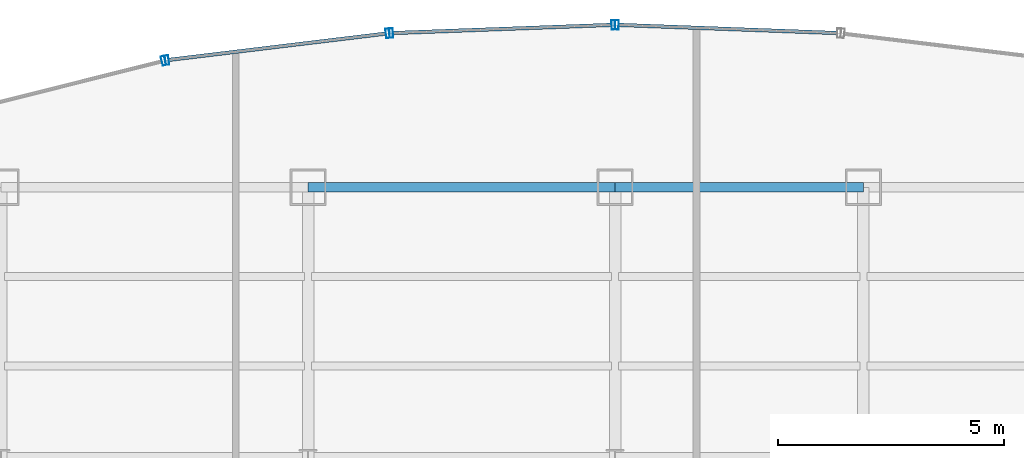
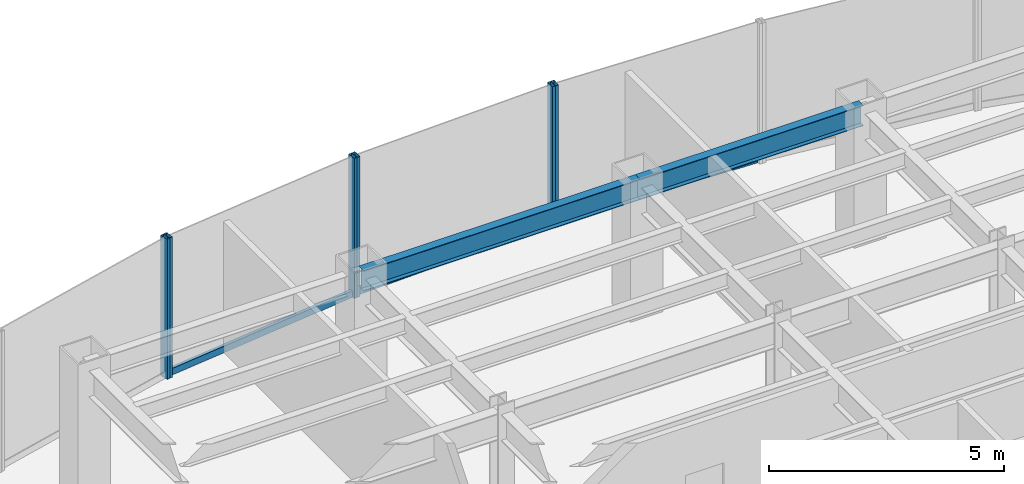
# One storey, part 16 of 26: 9 members, 2 beams, 4 elements without a shape of their own.
"""IFC4 building model written with IfcOpenShell, lengths in metres."""

import ifcopenshell
import ifcopenshell.guid

model = None  # the IFC model being written
_history = None  # IfcOwnerHistory: only IFC2X3 demands one
_inside = {}  # id of a spatial element -> (the spatial element, [elements in it])
_under = {}  # id of a project, library or spatial element -> (it, [spatial elements below it])
_declared = {}  # id of a project -> (the project, [libraries it declares])
_typed = {}  # id of a type object -> (the type object, [elements of that type])
_made_of = {}  # id of a material, layer set ... -> (it, [elements and type objects made of it])


def new_model(schema):
    """Start an empty IFC model of exactly this schema.

    Asked for "IFC4X3", IfcOpenShell would pick the latest addendum, in which some entities
    have other attributes; the version numbers below select the first issue.
    IFC2X3 requires an IfcOwnerHistory on every rooted entity: one is made here for all.
    """
    global model, _history
    if schema == "IFC4X3":
        model = ifcopenshell.file(schema_version=(4, 3, 0, 0))
    else:
        model = ifcopenshell.file(schema=schema)
    _inside.clear()
    _under.clear()
    _declared.clear()
    _typed.clear()
    _made_of.clear()
    _history = None
    if model.schema == "IFC2X3":
        org = make("IfcOrganization", Name="unknown")
        user = make(
            "IfcPersonAndOrganization",
            ThePerson=make("IfcPerson", FamilyName="unknown"),
            TheOrganization=org,
        )
        app = make(
            "IfcApplication",
            ApplicationDeveloper=org,
            Version="unknown",
            ApplicationFullName="unknown",
            ApplicationIdentifier="unknown",
        )
        _history = make(
            "IfcOwnerHistory",
            OwningUser=user,
            OwningApplication=app,
            ChangeAction="ADDED",
            CreationDate=0,
        )
    return model


def make(cls, **values):
    """One entity of the class cls with the attributes given. An attribute that is None is left unset."""
    return model.create_entity(
        cls, **{name: value for name, value in values.items() if value is not None}
    )


def rooted(cls, **values):
    """An entity with a GlobalId (a new one), such as an element, a storey or a relation."""
    return make(cls, GlobalId=ifcopenshell.guid.new(), OwnerHistory=_history, **values)


def si_unit(unit_type, name, prefix=None):
    """IfcSIUnit, for example si_unit("LENGTHUNIT", "METRE", prefix="MILLI")."""
    return make("IfcSIUnit", UnitType=unit_type, Prefix=prefix, Name=name)


def derived_unit(unit_type, elements):
    """IfcDerivedUnit: a product of units, each with its exponent."""
    return make(
        "IfcDerivedUnit",
        Elements=[
            make("IfcDerivedUnitElement", Unit=unit, Exponent=power)
            for unit, power in elements
        ],
        UnitType=unit_type,
    )


def assignment(units):
    """IfcUnitAssignment: the units of a project."""
    return None if units is None else make("IfcUnitAssignment", Units=units)


def point(xyz):
    """IfcCartesianPoint."""
    return None if xyz is None else make("IfcCartesianPoint", Coordinates=xyz)


def direction(xyz):
    """IfcDirection."""
    return None if xyz is None else make("IfcDirection", DirectionRatios=xyz)


def frame(location, z_axis=None, x_axis=None):
    """IfcAxis2Placement3D, a coordinate frame: its origin and axes. An axis left out is left unset."""
    return make(
        "IfcAxis2Placement3D",
        Location=point(location),
        Axis=direction(z_axis),
        RefDirection=direction(x_axis),
    )


def frame_2d(location, x_axis=None):
    """IfcAxis2Placement2D, a coordinate frame in the plane: its origin and x axis."""
    return make(
        "IfcAxis2Placement2D", Location=point(location), RefDirection=direction(x_axis)
    )


def origin():
    """The frame at (0, 0, 0) with its axes left unset."""
    return frame((0.0, 0.0, 0.0))


def origin_2d():
    """The frame at (0, 0) in the plane with its x axis left unset."""
    return frame_2d((0.0, 0.0))


def place(relative_to, where):
    """IfcLocalPlacement: puts the frame where relative to a parent placement (None: the world)."""
    return make(
        "IfcLocalPlacement", PlacementRelTo=relative_to, RelativePlacement=where
    )


def context(
    kind, dimensions, precision=None, world=None, true_north=None, identifier=None
):
    """IfcGeometricRepresentationContext, for example the 3D "Model" context."""
    return make(
        "IfcGeometricRepresentationContext",
        ContextIdentifier=identifier,
        ContextType=kind,
        CoordinateSpaceDimension=dimensions,
        Precision=precision,
        WorldCoordinateSystem=world,
        TrueNorth=true_north,
    )


def subcontext(parent, identifier, kind, view, scale=None):
    """IfcGeometricRepresentationSubContext, for example "Body" below "Model"."""
    return make(
        "IfcGeometricRepresentationSubContext",
        ContextIdentifier=identifier,
        ContextType=kind,
        ParentContext=parent,
        TargetScale=scale,
        TargetView=view,
    )


def project(units=None, contexts=None):
    """IfcProject with its units and contexts."""
    return rooted(
        "IfcProject",
        Name="project",
        RepresentationContexts=contexts,
        UnitsInContext=assignment(units),
    )


def spatial(cls, under=None, at=None, **own):
    """A site, building, storey or space (cls), placed at a placement, below another one or the project."""
    s = rooted(cls, ObjectPlacement=at, **own)
    if under is not None:
        _under.setdefault(under.id(), (under, []))[1].append(s)
    return s


def profile(cls, at=None, kind="AREA", **sizes):
    """A parametric profile (cls). Its sizes go by their IFC names, for example OverallWidth=200.0."""
    return make(cls, ProfileType=kind, Position=at, **sizes)


def hollow_rectangle(**sizes):
    """IfcRectangleHollowProfileDef."""
    return profile("IfcRectangleHollowProfileDef", **sizes)


def i_section(**sizes):
    """IfcIShapeProfileDef."""
    return profile("IfcIShapeProfileDef", **sizes)


def extrude(swept, where, along, depth):
    """IfcExtrudedAreaSolid: the profile swept, set in the frame where, extruded along a direction by depth."""
    return make(
        "IfcExtrudedAreaSolid",
        SweptArea=swept,
        Position=where,
        ExtrudedDirection=direction(along),
        Depth=depth,
    )


def shape(context_of_items, identifier, shape_type, items):
    """IfcShapeRepresentation: the items that make up one representation, for example the "Body"."""
    return make(
        "IfcShapeRepresentation",
        ContextOfItems=context_of_items,
        RepresentationIdentifier=identifier,
        RepresentationType=shape_type,
        Items=items,
    )


def source(mapping_origin, context_of_items, identifier, shape_type, items):
    """IfcRepresentationMap: a shape defined once, which mapped items show again and again."""
    return make(
        "IfcRepresentationMap",
        MappingOrigin=mapping_origin,
        MappedRepresentation=shape(context_of_items, identifier, shape_type, items),
    )


def transform(
    local_origin,
    x_axis=None,
    y_axis=None,
    z_axis=None,
    scale=None,
    scale2=None,
    scale3=None,
    uniform=True,
):
    """IfcCartesianTransformationOperator3D, or its non-uniform kind. x_axis, y_axis, z_axis: its Axis1, 2, 3."""
    if uniform:
        return make(
            "IfcCartesianTransformationOperator3D",
            Axis1=direction(x_axis),
            Axis2=direction(y_axis),
            LocalOrigin=point(local_origin),
            Scale=scale,
            Axis3=direction(z_axis),
        )
    return make(
        "IfcCartesianTransformationOperator3DnonUniform",
        Axis1=direction(x_axis),
        Axis2=direction(y_axis),
        LocalOrigin=point(local_origin),
        Scale=scale,
        Axis3=direction(z_axis),
        Scale2=scale2,
        Scale3=scale3,
    )


def mapped(mapping_source, mapping_target):
    """IfcMappedItem: shows the shape of a source again, moved by a transform."""
    return make(
        "IfcMappedItem", MappingSource=mapping_source, MappingTarget=mapping_target
    )


def material(Name=None, Category=None):
    """IfcMaterial."""
    return make("IfcMaterial", Name=Name, Category=Category)


def material_profile(
    of_material, cross_section, Name=None, Category=None, Priority=None
):
    """IfcMaterialProfile: a cross section and its material."""
    return make(
        "IfcMaterialProfile",
        Name=Name,
        Material=of_material,
        Profile=cross_section,
        Priority=Priority,
        Category=Category,
    )


def profile_set(profiles, Name=None, composite=None):
    """IfcMaterialProfileSet."""
    return make(
        "IfcMaterialProfileSet",
        Name=Name,
        MaterialProfiles=profiles,
        CompositeProfile=composite,
    )


def made_of(thing, what):
    """Note that an element or type object is made of a material, layer set ...; save() writes the relation."""
    if what is not None:
        _made_of.setdefault(what.id(), (what, []))[1].append(thing)
    return thing


def type_object(cls, material=None, **own):
    """A type object (cls), such as IfcWallType, which elements share."""
    return made_of(rooted(cls, **own), material)


def element(
    cls,
    number,
    at=None,
    inside=None,
    cuts=None,
    type_object=None,
    material=None,
    context=None,
    identifier="Body",
    shape_type=None,
    held_by="IfcProductDefinitionShape",
    body=None,
    shapes=None,
    **own,
):
    """One element of the class cls, such as IfcWall. Its Tag is "e" and its number.

    at: its placement. inside: the storey or other place that contains it. cuts: it is an
    opening in that element (IfcRelVoidsElement). A single representation is given by context,
    identifier, shape_type and body (its items); several are given by shapes. held_by: the class
    of the entity that holds the representations. save() writes the other relations.
    """
    e = rooted(cls, Tag="e%d" % number, ObjectPlacement=at, **own)
    if body is not None:
        shapes = [shape(context, identifier, shape_type, body)]
    if shapes is not None:
        e.Representation = make(held_by, Representations=shapes)
    if inside is not None:
        _inside.setdefault(inside.id(), (inside, []))[1].append(e)
    if cuts is not None:
        rooted(
            "IfcRelVoidsElement", RelatingBuildingElement=cuts, RelatedOpeningElement=e
        )
    if type_object is not None:
        _typed.setdefault(type_object.id(), (type_object, []))[1].append(e)
    return made_of(e, material)


def aggregate(whole, parts):
    """IfcRelAggregates: a whole, such as a stair, and the parts it consists of."""
    return rooted("IfcRelAggregates", RelatingObject=whole, RelatedObjects=parts)


def save(model, path):
    """Write the relations noted so far, then the file.

    IfcRelAggregates (storeys below a building ...), IfcRelContainedInSpatialStructure (elements
    in a storey), IfcRelDefinesByType, IfcRelAssociatesMaterial and IfcRelDeclares: one each for
    every whole, place, type object, material and project.
    """
    for whole, parts in _under.values():
        aggregate(whole, parts)
    for where, things in _inside.values():
        rooted(
            "IfcRelContainedInSpatialStructure",
            RelatedElements=things,
            RelatingStructure=where,
        )
    for kind, things in _typed.values():
        rooted("IfcRelDefinesByType", RelatedObjects=things, RelatingType=kind)
    for what, things in _made_of.values():
        rooted("IfcRelAssociatesMaterial", RelatedObjects=things, RelatingMaterial=what)
    for by, libraries in _declared.values():
        rooted("IfcRelDeclares", RelatingContext=by, RelatedDefinitions=libraries)
    model.write(path)


model = new_model("IFC4")

# Units and contexts
model_context = context("Model", 3, precision=1e-05, world=origin(), true_north=direction((0.0, 1.0)))
body_context = subcontext(model_context, "Body", "Model", "MODEL_VIEW")
ifc_project = project(units=[si_unit("LENGTHUNIT", "METRE"), si_unit("AREAUNIT", "SQUARE_METRE"), si_unit("VOLUMEUNIT", "CUBIC_METRE"), si_unit("PLANEANGLEUNIT", "RADIAN"), si_unit("MASSUNIT", "GRAM", prefix="KILO"), derived_unit("THERMALTRANSMITTANCEUNIT", [(si_unit("POWERUNIT", "WATT"), 1), (si_unit("LENGTHUNIT", "METRE"), -2), (si_unit("THERMODYNAMICTEMPERATUREUNIT", "KELVIN"), -1)])], contexts=[model_context])

# Site, building, storey
site_placement = place(None, origin())
site = spatial("IfcSite", under=ifc_project, at=site_placement, CompositionType="ELEMENT")
building_placement = place(site_placement, origin())
building = spatial("IfcBuilding", under=site, at=building_placement, Name="Skarnbrae Concourse Arena and Tower", CompositionType="ELEMENT")
storey_placement = place(building_placement, frame((0.0, 0.0, 103.25)))
storey = spatial("IfcBuildingStorey", under=building, at=storey_placement, Name="L25", CompositionType="ELEMENT", Elevation=103.25)

# Beams
ifc_material_1 = material(Name="Steel CSA G40.21 350W", Category="steel")
ifc_material_profile_1 = material_profile(ifc_material_1, i_section(OverallWidth=0.208984375, OverallDepth=0.532958984375, WebThickness=0.01025390625, FlangeThickness=0.015625, at=origin_2d()), Name="W530X92")
ifc_profile_set_1 = profile_set([ifc_material_profile_1], Name="Steel CSA G40.21 350W")
beam_type = type_object("IfcBeamType", Name="BM-SPAN-W530X92", PredefinedType="SPANDREL", material=ifc_profile_set_1)
shared_shape_1 = source(origin(), body_context, "Body", "SweptSolid", [
    extrude(i_section(OverallWidth=0.208984375, OverallDepth=0.532958984375, WebThickness=0.01025390625, FlangeThickness=0.015625, at=origin_2d()), origin(), (0.0, 0.0, 1.0), 6.800048828125),
])
beam_1_placement = place(storey_placement, frame((21.199951171875, 40.39990234375, 3.133544921875), z_axis=(1.0, 0.0, 0.0), x_axis=(0.0, 1.0, 0.0)))
element("IfcBeam", 1, at=beam_1_placement, inside=storey, type_object=beam_type, Name="L25 Perimeter spandrel Y40.4-2", PredefinedType="SPANDREL", context=body_context, shape_type="MappedRepresentation", body=[
    mapped(shared_shape_1, transform((0.0, 0.0, 0.0))),
])
shared_shape_2 = source(origin(), body_context, "Body", "SweptSolid", [
    extrude(i_section(OverallWidth=0.208984375, OverallDepth=0.532958984375, WebThickness=0.01025390625, FlangeThickness=0.015625, at=origin_2d()), origin(), (0.0, 0.0, 1.0), 5.5),
])
beam_2_placement = place(storey_placement, frame((28.0, 40.39990234375, 3.133544921875), z_axis=(1.0, 0.0, 0.0), x_axis=(0.0, 1.0, 0.0)))
element("IfcBeam", 2, at=beam_2_placement, inside=storey, type_object=beam_type, Name="L25 Perimeter spandrel Y40.4-3", PredefinedType="SPANDREL", context=body_context, shape_type="MappedRepresentation", body=[
    mapped(shared_shape_2, transform((0.0, 0.0, 0.0))),
])

# Curtain wall, member
ifc_material_2 = material(Name="Bronze anodised aluminium 6063-T6", Category="aluminium")
curtain_wall_type = type_object("IfcCurtainWallType", Name="CW-SYS-03-PORTAL", PredefinedType="USERDEFINED", material=ifc_material_2)
curtain_wall_1_placement = place(storey_placement, origin())
curtain_wall_1 = element("IfcCurtainWall", 3, at=curtain_wall_1_placement, inside=storey, type_object=curtain_wall_type, Name="L25 Unitised curtain wall CW-L25-E11", ObjectType="UNITISED CURTAIN WALL", PredefinedType="USERDEFINED")
ifc_material_profile_2 = material_profile(ifc_material_2, hollow_rectangle(XDim=0.080078125, YDim=0.2099609375, WallThickness=0.00439453125, at=origin_2d()), Name="ALU-MULL-80X210")
ifc_profile_set_2 = profile_set([ifc_material_profile_2], Name="Bronze anodised aluminium 6063-T6")
member_type_1 = type_object("IfcMemberType", Name="CWM-CW-03", PredefinedType="MULLION", material=ifc_profile_set_2)
shared_shape_3 = source(origin(), body_context, "Body", "SweptSolid", [
    extrude(hollow_rectangle(XDim=0.080078125, YDim=0.2099609375, WallThickness=0.00439453125, at=origin_2d()), origin(), (0.0, 0.0, 1.0), 3.64990234375),
])
member_1_placement = place(storey_placement, frame((28.0400390625, 43.99853515625, 0.0), z_axis=(0.0, 0.0, 1.0), x_axis=(-0.999308486252, 0.037182647889, 0.0)))
member_1 = element("IfcMember", 4, at=member_1_placement, type_object=member_type_1, Name="CW-L25-E11 Mullion 2", PredefinedType="MULLION", context=body_context, shape_type="MappedRepresentation", body=[
    mapped(shared_shape_3, transform((0.0, 0.0, 0.0))),
])

# Curtain wall, members
curtain_wall_2_placement = place(storey_placement, origin())
curtain_wall_2 = element("IfcCurtainWall", 5, at=curtain_wall_2_placement, inside=storey, type_object=curtain_wall_type, Name="L25 Unitised curtain wall CW-L25-E12", ObjectType="UNITISED CURTAIN WALL", PredefinedType="USERDEFINED")
member_2_placement = place(storey_placement, frame((27.9599609375, 43.99853515625, 0.0), z_axis=(0.0, 0.0, 1.0), x_axis=(-0.999308486252, -0.037182647889, 0.0)))
member_2 = element("IfcMember", 6, at=member_2_placement, type_object=member_type_1, Name="CW-L25-E12 Mullion 1", PredefinedType="MULLION", context=body_context, shape_type="MappedRepresentation", body=[
    mapped(shared_shape_3, transform((0.0, 0.0, 0.0))),
])
member_3_placement = place(storey_placement, frame((23.041015625, 43.8154296875, 0.0), z_axis=(0.0, 0.0, 1.0), x_axis=(-0.999308486252, -0.037182647889, 0.0)))
member_3 = element("IfcMember", 7, at=member_3_placement, type_object=member_type_1, Name="CW-L25-E12 Mullion 2", PredefinedType="MULLION", context=body_context, shape_type="MappedRepresentation", body=[
    mapped(shared_shape_3, transform((0.0, 0.0, 0.0))),
])

curtain_wall_3_placement = place(storey_placement, origin())
curtain_wall_3 = element("IfcCurtainWall", 8, at=curtain_wall_3_placement, inside=storey, type_object=curtain_wall_type, Name="L25 Unitised curtain wall CW-L25-E13", ObjectType="UNITISED CURTAIN WALL", PredefinedType="USERDEFINED")
member_4_placement = place(storey_placement, frame((22.96142578125, 43.80908203125, 0.0), z_axis=(0.0, 0.0, 1.0), x_axis=(-0.992749371969, -0.120202680731, 0.0)))
member_4 = element("IfcMember", 9, at=member_4_placement, type_object=member_type_1, Name="CW-L25-E13 Mullion 1", PredefinedType="MULLION", context=body_context, shape_type="MappedRepresentation", body=[
    mapped(shared_shape_3, transform((0.0, 0.0, 0.0))),
])
member_5_placement = place(storey_placement, frame((18.075439453125, 43.217529296875, 0.0), z_axis=(0.0, 0.0, 1.0), x_axis=(-0.992749371969, -0.120202680731, 0.0)))
member_5 = element("IfcMember", 10, at=member_5_placement, type_object=member_type_1, Name="CW-L25-E13 Mullion 2", PredefinedType="MULLION", context=body_context, shape_type="MappedRepresentation", body=[
    mapped(shared_shape_3, transform((0.0, 0.0, 0.0))),
])

# Curtain wall, member
curtain_wall_4_placement = place(storey_placement, origin())
curtain_wall_4 = element("IfcCurtainWall", 11, at=curtain_wall_4_placement, inside=storey, type_object=curtain_wall_type, Name="L25 Unitised curtain wall CW-L25-E14", ObjectType="UNITISED CURTAIN WALL", PredefinedType="USERDEFINED")
member_6_placement = place(storey_placement, frame((17.9970703125, 43.203125, 0.0), z_axis=(0.0, 0.0, 1.0), x_axis=(-0.969903046166, -0.243491439351, 0.0)))
member_6 = element("IfcMember", 12, at=member_6_placement, type_object=member_type_1, Name="CW-L25-E14 Mullion 1", PredefinedType="MULLION", context=body_context, shape_type="MappedRepresentation", body=[
    mapped(shared_shape_3, transform((0.0, 0.0, 0.0))),
])
aggregate(curtain_wall_4, [member_6])

# Member
ifc_material_profile_3 = material_profile(ifc_material_2, hollow_rectangle(XDim=0.080078125, YDim=0.169921875, WallThickness=0.00439453125, at=origin_2d()), Name="ALU-TRAN-80X170")
ifc_profile_set_3 = profile_set([ifc_material_profile_3], Name="Bronze anodised aluminium 6063-T6")
member_type_2 = type_object("IfcMemberType", Name="CWT-CW-03", PredefinedType="USERDEFINED", material=ifc_profile_set_3)
shared_shape_4 = source(origin(), body_context, "Body", "SweptSolid", [
    extrude(hollow_rectangle(XDim=0.080078125, YDim=0.169921875, WallThickness=0.00439453125, at=origin_2d()), origin(), (0.0, 0.0, 1.0), 4.841552734375),
])
member_7_placement = place(storey_placement, frame((22.921630859375, 43.804443359375, 0.0849609375), z_axis=(-0.992747648444, -0.120216914405, 0.0), x_axis=(0.120216914405, -0.992747648444, 0.0)))
member_7 = element("IfcMember", 13, at=member_7_placement, type_object=member_type_2, Name="CW-L25-E13 Transom 1", ObjectType="TRANSOM", PredefinedType="USERDEFINED", context=body_context, shape_type="MappedRepresentation", body=[
    mapped(shared_shape_4, transform((0.0, 0.0, 0.0))),
])

aggregate(curtain_wall_3, [member_4, member_5, member_7])

shared_shape_5 = source(origin(), body_context, "Body", "SweptSolid", [
    extrude(hollow_rectangle(XDim=0.080078125, YDim=0.169921875, WallThickness=0.00439453125, at=origin_2d()), origin(), (0.0, 0.0, 1.0), 4.842529296875),
])
member_8_placement = place(storey_placement, frame((32.9189453125, 43.81689453125, 0.0849609375), z_axis=(-0.999307562882, 0.0372074558, 0.0), x_axis=(-0.0372074558, -0.999307562882, 0.0)))
member_8 = element("IfcMember", 14, at=member_8_placement, type_object=member_type_2, Name="CW-L25-E11 Transom 1", ObjectType="TRANSOM", PredefinedType="USERDEFINED", context=body_context, shape_type="MappedRepresentation", body=[
    mapped(shared_shape_5, transform((0.0, 0.0, 0.0))),
])

aggregate(curtain_wall_1, [member_1, member_8])

member_9_placement = place(storey_placement, frame((27.920166015625, 43.9970703125, 0.0849609375), z_axis=(-0.999307562882, -0.0372074558, 0.0), x_axis=(0.0372074558, -0.999307562882, 0.0)))
member_9 = element("IfcMember", 15, at=member_9_placement, type_object=member_type_2, Name="CW-L25-E12 Transom 1", ObjectType="TRANSOM", PredefinedType="USERDEFINED", context=body_context, shape_type="MappedRepresentation", body=[
    mapped(shared_shape_5, transform((0.0, 0.0, 0.0))),
])

aggregate(curtain_wall_2, [member_2, member_3, member_9])

save(model, "model.ifc")
